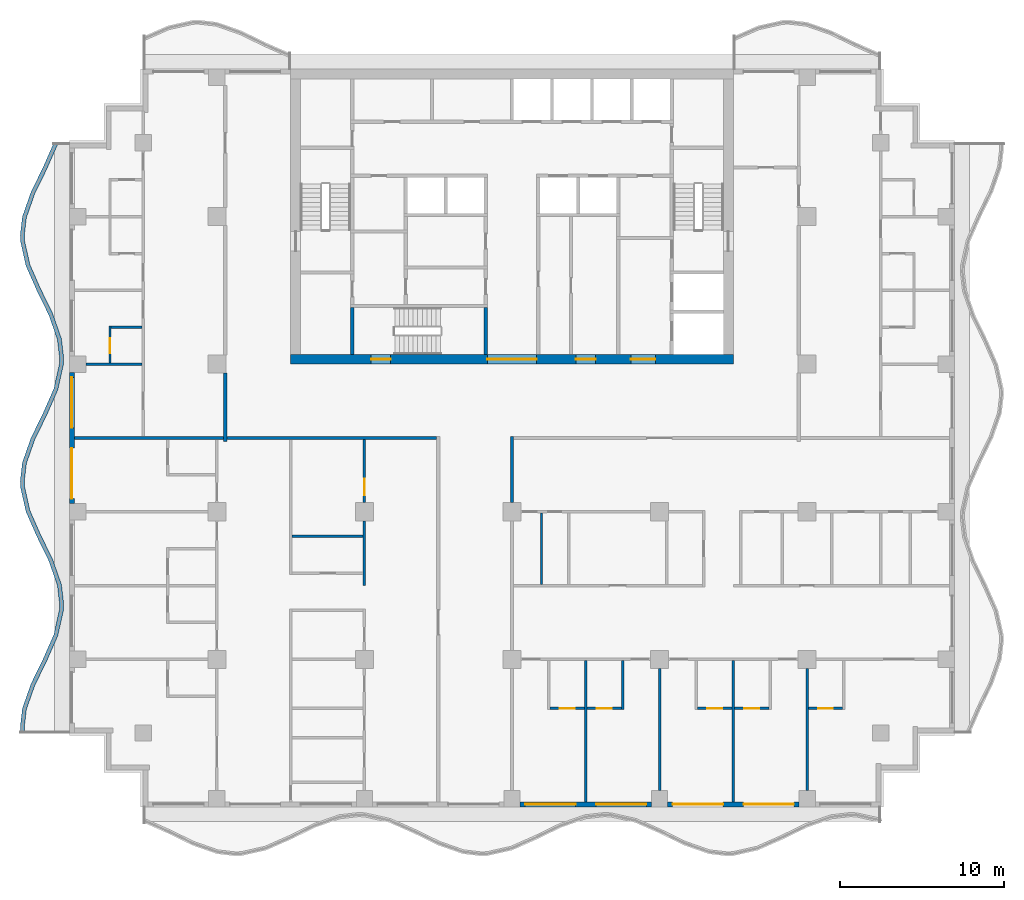
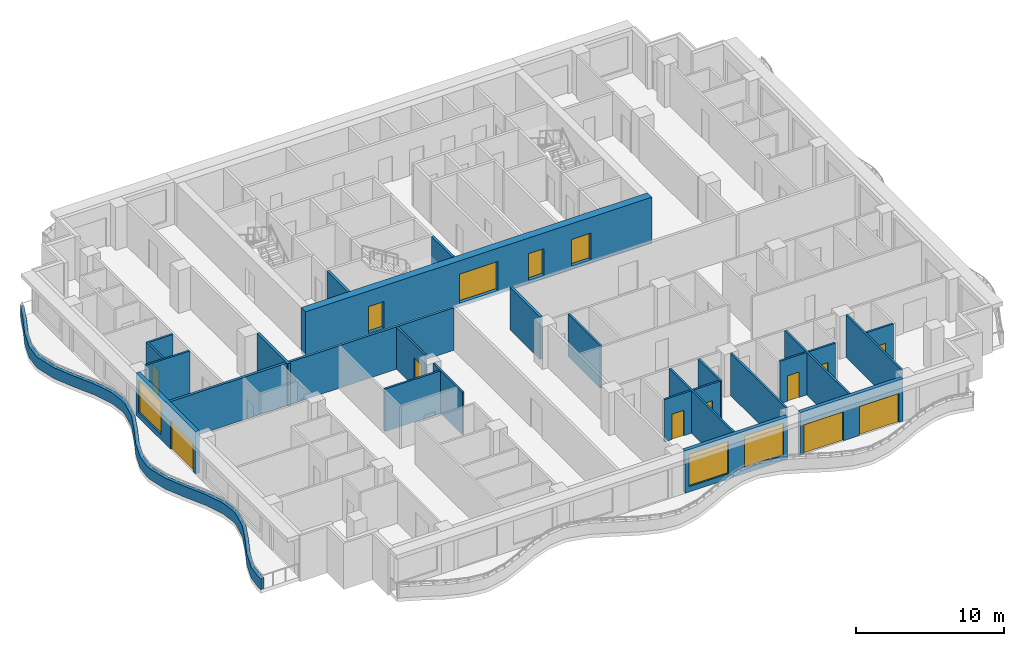
# One storey, part 3 of 12: 28 walls, 14 doors, 3 windows, 17 openings.
"""IFC4 building model written with IfcOpenShell, lengths in metres."""

from ifc_helpers import new_model, si_unit, direction, frame, frame_2d, origin, place, context, subcontext, project, spatial, polyline, rectangle, outline, extrude, material, layer, layer_set, type_object, element, fill, save


model = new_model("IFC4")

# Units and contexts
model_context = context("Model", 3, precision=1e-05, world=origin(), true_north=direction((0.0, 1.0)))
body_context = subcontext(model_context, "Body", "Model", "MODEL_VIEW")
ifc_project = project(units=[si_unit("LENGTHUNIT", "METRE"), si_unit("AREAUNIT", "SQUARE_METRE"), si_unit("VOLUMEUNIT", "CUBIC_METRE"), si_unit("PLANEANGLEUNIT", "RADIAN"), si_unit("MASSUNIT", "GRAM", prefix="KILO")], contexts=[model_context])

# Site, building, storey
site_placement = place(None, origin())
site = spatial("IfcSite", under=ifc_project, at=site_placement, CompositionType="ELEMENT")
building_placement = place(site_placement, origin())
building = spatial("IfcBuilding", under=site, at=building_placement, Name="Orbiselva Terraces", CompositionType="ELEMENT")
storey_placement = place(building_placement, frame((0.0, 0.0, 207.2)))
storey = spatial("IfcBuildingStorey", under=building, at=storey_placement, Name="L52", CompositionType="ELEMENT", Elevation=207.2)

# Wall, openings, doors
ifc_material_1 = material(Name="Concrete C80/95", Category="concrete")
ifc_layer_1 = layer(ifc_material_1, 0.6)
ifc_layer_set_1 = layer_set([ifc_layer_1], Name="Concrete C80/95")
wall_type_1 = type_object("IfcWallType", Name="CORE WALL 600", PredefinedType="SHEAR", material=ifc_layer_set_1)
wall_1_placement = place(storey_placement, frame((-13.5, 4.8, -0.3), z_axis=(0.0, 0.0, 1.0), x_axis=(1.0, 0.0, 0.0)))
wall_1 = element("IfcWall", 1, at=wall_1_placement, inside=storey, type_object=wall_type_1, Name="Core wall L52 south", PredefinedType="SHEAR", context=body_context, shape_type="SweptSolid", body=[
    extrude(rectangle(XDim=27.0, YDim=0.6, at=frame_2d((13.5, 0.0))), origin(), (0.0, 0.0, 1.0), 3.8),
])
opening_1_placement = place(wall_1_placement, frame((12.0, 0.0, 0.3)))
opening_1 = element("IfcOpeningElement", 2, at=opening_1_placement, cuts=wall_1, Name="Opening DL3000", PredefinedType="OPENING", context=body_context, shape_type="SweptSolid", body=[
    extrude(rectangle(XDim=3.0, YDim=2.4, at=frame_2d((1.5, 1.2))), frame((0.0, 0.31, 0.0), z_axis=(0.0, -1.0, 0.0), x_axis=(1.0, 0.0, 0.0)), (0.0, 0.0, 1.0), 0.62),
])
opening_2_placement = place(wall_1_placement, frame((4.9, 0.0, 0.3)))
opening_2 = element("IfcOpeningElement", 3, at=opening_2_placement, cuts=wall_1, Name="Opening DS1200", PredefinedType="OPENING", context=body_context, shape_type="SweptSolid", body=[
    extrude(rectangle(XDim=1.2, YDim=2.2, at=frame_2d((0.6, 1.1))), frame((0.0, 0.31, 0.0), z_axis=(0.0, -1.0, 0.0), x_axis=(1.0, 0.0, 0.0)), (0.0, 0.0, 1.0), 0.62),
])
opening_3_placement = place(wall_1_placement, frame((20.75, 0.0, 0.3)))
opening_3 = element("IfcOpeningElement", 4, at=opening_3_placement, cuts=wall_1, Name="Opening DF1500", PredefinedType="OPENING", context=body_context, shape_type="SweptSolid", body=[
    extrude(rectangle(XDim=1.5, YDim=2.2, at=frame_2d((0.75, 1.1))), frame((0.0, 0.31, 0.0), z_axis=(0.0, -1.0, 0.0), x_axis=(1.0, 0.0, 0.0)), (0.0, 0.0, 1.0), 0.62),
])
opening_4_placement = place(wall_1_placement, frame((17.4, 0.0, 0.3)))
opening_4 = element("IfcOpeningElement", 5, at=opening_4_placement, cuts=wall_1, Name="Opening DV1200", PredefinedType="OPENING", context=body_context, shape_type="SweptSolid", body=[
    extrude(rectangle(XDim=1.2, YDim=2.2, at=frame_2d((0.6, 1.1))), frame((0.0, 0.31, 0.0), z_axis=(0.0, -1.0, 0.0), x_axis=(1.0, 0.0, 0.0)), (0.0, 0.0, 1.0), 0.62),
])
ifc_material_2 = material(Name="Steel fire door", Category="steel")
door_type_1 = type_object("IfcDoorType", Name="FFL DOOR 1500", OperationType="DOUBLE_DOOR_SINGLE_SWING", PredefinedType="DOOR", material=ifc_material_2)
door_1_placement = place(opening_3_placement, frame((1.5, 0.0, 0.0), z_axis=(0.0, 0.0, 1.0), x_axis=(-1.0, 0.0, 0.0)))
door_1 = element("IfcDoor", 6, at=door_1_placement, inside=storey, type_object=door_type_1, Name="L52 FIRE-FIGHTING LOBBY door", OperationType="DOUBLE_DOOR_SINGLE_SWING", OverallHeight=2.2, OverallWidth=1.5, PredefinedType="DOOR", context=body_context, shape_type="SweptSolid", body=[
    extrude(rectangle(XDim=1.5, YDim=2.2, at=frame_2d((0.75, 1.1))), frame((0.0, 0.025, 0.0), z_axis=(0.0, -1.0, 0.0), x_axis=(1.0, 0.0, 0.0)), (0.0, 0.0, 1.0), 0.05),
])
fill(opening_3, door_1)
door_type_2 = type_object("IfcDoorType", Name="LOBBY DOOR 3000", OperationType="DOUBLE_DOOR_SINGLE_SWING", PredefinedType="DOOR", material=ifc_material_2)
door_2_placement = place(opening_1_placement, frame((3.0, 0.0, 0.0), z_axis=(0.0, 0.0, 1.0), x_axis=(-1.0, 0.0, 0.0)))
door_2 = element("IfcDoor", 7, at=door_2_placement, inside=storey, type_object=door_type_2, Name="L52 LIFT LOBBY door", OperationType="DOUBLE_DOOR_SINGLE_SWING", OverallHeight=2.4, OverallWidth=3.0, PredefinedType="DOOR", context=body_context, shape_type="SweptSolid", body=[
    extrude(rectangle(XDim=3.0, YDim=2.4, at=frame_2d((1.5, 1.2))), frame((0.0, 0.025, 0.0), z_axis=(0.0, -1.0, 0.0), x_axis=(1.0, 0.0, 0.0)), (0.0, 0.0, 1.0), 0.05),
])
fill(opening_1, door_2)
door_type_3 = type_object("IfcDoorType", Name="SERVICE DOOR 1200", OperationType="NOTDEFINED", PredefinedType="DOOR", material=ifc_material_2)
door_3_placement = place(opening_4_placement, frame((1.2, 0.0, 0.0), z_axis=(0.0, 0.0, 1.0), x_axis=(-1.0, 0.0, 0.0)))
door_3 = element("IfcDoor", 8, at=door_3_placement, inside=storey, type_object=door_type_3, Name="L52 SERVICE ROOM door", OperationType="SINGLE_SWING_RIGHT", OverallHeight=2.2, OverallWidth=1.2, PredefinedType="DOOR", context=body_context, shape_type="SweptSolid", body=[
    extrude(rectangle(XDim=1.2, YDim=2.2, at=frame_2d((0.6, 1.1))), frame((0.0, 0.025, 0.0), z_axis=(0.0, -1.0, 0.0), x_axis=(1.0, 0.0, 0.0)), (0.0, 0.0, 1.0), 0.05),
])
fill(opening_4, door_3)
door_type_4 = type_object("IfcDoorType", Name="STAIR DOOR 1200", OperationType="NOTDEFINED", PredefinedType="DOOR", material=ifc_material_2)
door_4_placement = place(opening_2_placement, frame((1.2, 0.0, 0.0), z_axis=(0.0, 0.0, 1.0), x_axis=(-1.0, 0.0, 0.0)))
door_4 = element("IfcDoor", 9, at=door_4_placement, inside=storey, type_object=door_type_4, Name="L52 EXIT STAIR S3 door", OperationType="SINGLE_SWING_LEFT", OverallHeight=2.2, OverallWidth=1.2, PredefinedType="DOOR", context=body_context, shape_type="SweptSolid", body=[
    extrude(rectangle(XDim=1.2, YDim=2.2, at=frame_2d((0.6, 1.1))), frame((0.0, 0.025, 0.0), z_axis=(0.0, -1.0, 0.0), x_axis=(1.0, 0.0, 0.0)), (0.0, 0.0, 1.0), 0.05),
])
fill(opening_2, door_4)

# Walls
ifc_material_3 = material(Name="Concrete C60/75", Category="concrete")
ifc_layer_2 = layer(ifc_material_3, 0.2)
ifc_layer_set_2 = layer_set([ifc_layer_2], Name="Concrete C60/75")
wall_type_2 = type_object("IfcWallType", Name="CORE-WALL-SHEAR-200", PredefinedType="SHEAR", material=ifc_layer_set_2)
for number, where, z_axis, x_axis, name in (
    (10, (-9.75, 5.1, 0.0), (0.0, 0.0, 1.0), (0.0, 1.0, 0.0), "L52 core wall 03"),
    (11, (-1.6, 5.1, 0.0), (0.0, 0.0, 1.0), (0.0, 1.0, 0.0), "L52 core wall 22"),
):
    element("IfcWall", number, at=place(storey_placement, frame(where, z_axis=z_axis, x_axis=x_axis)), inside=storey, type_object=wall_type_2, Name=name, PredefinedType="SHEAR", context=body_context, shape_type="SweptSolid", body=[
        extrude(rectangle(XDim=2.85, YDim=0.2, at=frame_2d((1.425, 0.0))), origin(), (0.0, 0.0, 1.0), 3.5),
    ])
ifc_material_4 = material(Name="Concrete C40/50", Category="concrete")
ifc_layer_3 = layer(ifc_material_4, 0.25)
ifc_layer_set_3 = layer_set([ifc_layer_3], Name="Concrete C40/50")
wall_type_3 = type_object("IfcWallType", Name="ENV-PLANTER-250x900", PredefinedType="USERDEFINED", material=ifc_layer_set_3)
wall_2_placement = place(storey_placement, origin())
element("IfcWall", 12, at=wall_2_placement, inside=storey, type_object=wall_type_3, Name="Balcony planter L52 W", ObjectType="PLANTER", PredefinedType="USERDEFINED", context=body_context, shape_type="SweptSolid", body=[
    extrude(outline(polyline([(-27.951472, 18.0), (-28.612279, 16.5), (-29.344789, 15.0), (-29.869208, 13.5), (-30.0, 12.375), (-29.985226, 12.0), (-29.648528, 10.5), (-28.987721, 9.0), (-28.255211, 7.5), (-27.730792, 6.0), (-27.6, 4.875), (-27.614774, 4.5), (-27.951472, 3.0), (-28.612279, 1.5), (-29.344789, 0.0), (-29.869208, -1.5), (-30.0, -2.625), (-29.985226, -3.0), (-29.648528, -4.5), (-28.987721, -6.0), (-28.255211, -7.5), (-27.730792, -9.0), (-27.6, -10.125), (-27.614774, -10.5), (-27.951472, -12.0), (-28.612279, -13.5), (-29.344789, -15.0), (-29.869208, -16.5), (-30.0, -17.625), (-29.985226, -18.0), (-29.73542, -17.990158), (-29.749429, -17.634572), (-29.624078, -16.556371), (-29.113667, -15.09644), (-28.385477, -13.605286), (-27.712874, -12.078508), (-27.365863, -10.532565), (-27.349429, -10.115428), (-27.485662, -8.943629), (-28.024089, -7.40356), (-28.760919, -5.894714), (-29.40993, -4.421492), (-29.736315, -2.967435), (-29.749429, -2.634572), (-29.624078, -1.556371), (-29.113667, -0.09644), (-28.385477, 1.394714), (-27.712874, 2.921492), (-27.365863, 4.467435), (-27.349429, 4.884572), (-27.485662, 6.056371), (-28.024089, 7.59644), (-28.760919, 9.105286), (-29.40993, 10.578508), (-29.736315, 12.032565), (-29.749429, 12.365428), (-29.624078, 13.443629), (-29.113667, 14.90356), (-28.385477, 16.394714), (-27.722689, 17.899212), (-27.951472, 18.0)])), origin(), (0.0, 0.0, 1.0), 0.9),
])

# Wall, openings, windows
ifc_material_5 = material(Name="Terracotta cladding on masonry backing", Category="masonry")
ifc_layer_4 = layer(ifc_material_5, 0.3)
ifc_layer_set_4 = layer_set([ifc_layer_4], Name="Terracotta cladding on masonry backing")
wall_type_4 = type_object("IfcWallType", Name="ENV-WALL-TERRACOTTA-300", PredefinedType="SOLIDWALL", material=ifc_layer_set_4)
wall_3_placement = place(storey_placement, frame((8.5, -22.35, 0.0), z_axis=(0.0, 0.0, 1.0), x_axis=(-1.0, 0.0, 0.0)))
wall_3 = element("IfcWall", 13, at=wall_3_placement, inside=storey, type_object=wall_type_4, Name="Facade wall L52 S", PredefinedType="SOLIDWALL", context=body_context, shape_type="SweptSolid", body=[
    extrude(rectangle(XDim=8.0, YDim=0.3, at=frame_2d((4.0, 0.0))), origin(), (0.0, 0.0, 1.0), 3.5),
])
opening_5_placement = place(wall_3_placement, frame((4.625, 0.0, 0.45)))
opening_5 = element("IfcOpeningElement", 14, at=opening_5_placement, cuts=wall_3, Name="Opening WN15", PredefinedType="OPENING", context=body_context, shape_type="SweptSolid", body=[
    extrude(rectangle(XDim=3.075, YDim=2.65, at=frame_2d((1.5375, 1.325))), frame((0.0, 0.16, 0.0), z_axis=(0.0, -1.0, 0.0), x_axis=(1.0, 0.0, 0.0)), (0.0, 0.0, 1.0), 0.32),
])
opening_6_placement = place(wall_3_placement, frame((0.3, 0.0, 0.45)))
opening_6 = element("IfcOpeningElement", 15, at=opening_6_placement, cuts=wall_3, Name="Opening WN15", PredefinedType="OPENING", context=body_context, shape_type="SweptSolid", body=[
    extrude(rectangle(XDim=3.075, YDim=2.65, at=frame_2d((1.5375, 1.325))), frame((0.0, 0.16, 0.0), z_axis=(0.0, -1.0, 0.0), x_axis=(1.0, 0.0, 0.0)), (0.0, 0.0, 1.0), 0.32),
])
ifc_material_6 = material(Name="Clear low-e glazing in aluminium frame", Category="aluminium")
window_type = type_object("IfcWindowType", Name="WINDOW 3075 X 2650 S450", PartitioningType="TRIPLE_PANEL_VERTICAL", PredefinedType="WINDOW", material=ifc_material_6)
window_1_placement = place(opening_5_placement, origin())
window_1 = element("IfcWindow", 16, at=window_1_placement, inside=storey, type_object=window_type, Name="Window L52 S", OverallHeight=2.65, OverallWidth=3.075, PartitioningType="SINGLE_PANEL", PredefinedType="WINDOW", context=body_context, shape_type="SweptSolid", body=[
    extrude(rectangle(XDim=3.075, YDim=2.65, at=frame_2d((1.5375, 1.325))), frame((0.0, 0.03, 0.0), z_axis=(0.0, -1.0, 0.0), x_axis=(1.0, 0.0, 0.0)), (0.0, 0.0, 1.0), 0.06),
])
fill(opening_5, window_1)
window_2_placement = place(opening_6_placement, origin())
window_2 = element("IfcWindow", 17, at=window_2_placement, inside=storey, type_object=window_type, Name="Window L52 S", OverallHeight=2.65, OverallWidth=3.075, PartitioningType="SINGLE_PANEL", PredefinedType="WINDOW", context=body_context, shape_type="SweptSolid", body=[
    extrude(rectangle(XDim=3.075, YDim=2.65, at=frame_2d((1.5375, 1.325))), frame((0.0, 0.03, 0.0), z_axis=(0.0, -1.0, 0.0), x_axis=(1.0, 0.0, 0.0)), (0.0, 0.0, 1.0), 0.06),
])
fill(opening_6, window_2)

# Wall, openings, doors
wall_4_placement = place(storey_placement, frame((17.5, -22.35, 0.0), z_axis=(0.0, 0.0, 1.0), x_axis=(-1.0, 0.0, 0.0)))
wall_4 = element("IfcWall", 18, at=wall_4_placement, inside=storey, type_object=wall_type_4, Name="Facade wall L52 S", PredefinedType="SOLIDWALL", context=body_context, shape_type="SweptSolid", body=[
    extrude(rectangle(XDim=8.0, YDim=0.3, at=frame_2d((4.0, 0.0))), origin(), (0.0, 0.0, 1.0), 3.5),
])
opening_7_placement = place(wall_4_placement, frame((4.625, 0.0, 0.0)))
opening_7 = element("IfcOpeningElement", 19, at=opening_7_placement, cuts=wall_4, Name="Opening Z4-C-E03", PredefinedType="OPENING", context=body_context, shape_type="SweptSolid", body=[
    extrude(rectangle(XDim=3.075, YDim=2.4, at=frame_2d((1.5375, 1.2))), frame((0.0, 0.16, 0.0), z_axis=(0.0, -1.0, 0.0), x_axis=(1.0, 0.0, 0.0)), (0.0, 0.0, 1.0), 0.32),
])
opening_8_placement = place(wall_4_placement, frame((0.3, 0.0, 0.0)))
opening_8 = element("IfcOpeningElement", 20, at=opening_8_placement, cuts=wall_4, Name="Opening Z4-C-E04", PredefinedType="OPENING", context=body_context, shape_type="SweptSolid", body=[
    extrude(rectangle(XDim=3.075, YDim=2.4, at=frame_2d((1.5375, 1.2))), frame((0.0, 0.16, 0.0), z_axis=(0.0, -1.0, 0.0), x_axis=(1.0, 0.0, 0.0)), (0.0, 0.0, 1.0), 0.32),
])
door_type_5 = type_object("IfcDoorType", Name="BALCONY DOOR 3075 X 2400", OperationType="DOUBLE_DOOR_SLIDING", PredefinedType="DOOR", material=ifc_material_6)
door_5_placement = place(opening_7_placement, origin())
door_5 = element("IfcDoor", 21, at=door_5_placement, inside=storey, type_object=door_type_5, Name="Z4-C-E03", OperationType="SINGLE_SWING_LEFT", OverallHeight=2.4, OverallWidth=3.075, PredefinedType="DOOR", context=body_context, shape_type="SweptSolid", body=[
    extrude(rectangle(XDim=3.075, YDim=2.4, at=frame_2d((1.5375, 1.2))), frame((0.0, 0.025, 0.0), z_axis=(0.0, -1.0, 0.0), x_axis=(1.0, 0.0, 0.0)), (0.0, 0.0, 1.0), 0.05),
])
fill(opening_7, door_5)
door_6_placement = place(opening_8_placement, origin())
door_6 = element("IfcDoor", 22, at=door_6_placement, inside=storey, type_object=door_type_5, Name="Z4-C-E04", OperationType="SINGLE_SWING_LEFT", OverallHeight=2.4, OverallWidth=3.075, PredefinedType="DOOR", context=body_context, shape_type="SweptSolid", body=[
    extrude(rectangle(XDim=3.075, YDim=2.4, at=frame_2d((1.5375, 1.2))), frame((0.0, 0.025, 0.0), z_axis=(0.0, -1.0, 0.0), x_axis=(1.0, 0.0, 0.0)), (0.0, 0.0, 1.0), 0.05),
])
fill(opening_8, door_6)

# Wall, openings, door, window
wall_5_placement = place(storey_placement, frame((-26.85, -4.0, 0.0), z_axis=(0.0, 0.0, 1.0), x_axis=(0.0, 1.0, 0.0)))
wall_5 = element("IfcWall", 23, at=wall_5_placement, inside=storey, type_object=wall_type_4, Name="Facade wall L52 W", PredefinedType="SOLIDWALL", context=body_context, shape_type="SweptSolid", body=[
    extrude(rectangle(XDim=8.0, YDim=0.3, at=frame_2d((4.0, 0.0))), origin(), (0.0, 0.0, 1.0), 3.5),
])
opening_9_placement = place(wall_5_placement, frame((4.625, 0.0, 0.45)))
opening_9 = element("IfcOpeningElement", 24, at=opening_9_placement, cuts=wall_5, Name="Opening WN15", PredefinedType="OPENING", context=body_context, shape_type="SweptSolid", body=[
    extrude(rectangle(XDim=3.075, YDim=2.65, at=frame_2d((1.5375, 1.325))), frame((0.0, 0.16, 0.0), z_axis=(0.0, -1.0, 0.0), x_axis=(1.0, 0.0, 0.0)), (0.0, 0.0, 1.0), 0.32),
])
opening_10_placement = place(wall_5_placement, frame((0.3, 0.0, 0.0)))
opening_10 = element("IfcOpeningElement", 25, at=opening_10_placement, cuts=wall_5, Name="Opening Z4-C-E11", PredefinedType="OPENING", context=body_context, shape_type="SweptSolid", body=[
    extrude(rectangle(XDim=3.075, YDim=2.4, at=frame_2d((1.5375, 1.2))), frame((0.0, 0.16, 0.0), z_axis=(0.0, -1.0, 0.0), x_axis=(1.0, 0.0, 0.0)), (0.0, 0.0, 1.0), 0.32),
])
door_7_placement = place(opening_10_placement, origin())
door_7 = element("IfcDoor", 26, at=door_7_placement, inside=storey, type_object=door_type_5, Name="Z4-C-E11", OperationType="SINGLE_SWING_LEFT", OverallHeight=2.4, OverallWidth=3.075, PredefinedType="DOOR", context=body_context, shape_type="SweptSolid", body=[
    extrude(rectangle(XDim=3.075, YDim=2.4, at=frame_2d((1.5375, 1.2))), frame((0.0, 0.025, 0.0), z_axis=(0.0, -1.0, 0.0), x_axis=(1.0, 0.0, 0.0)), (0.0, 0.0, 1.0), 0.05),
])
fill(opening_10, door_7)
window_3_placement = place(opening_9_placement, origin())
window_3 = element("IfcWindow", 27, at=window_3_placement, inside=storey, type_object=window_type, Name="Window L52 W", OverallHeight=2.65, OverallWidth=3.075, PartitioningType="SINGLE_PANEL", PredefinedType="WINDOW", context=body_context, shape_type="SweptSolid", body=[
    extrude(rectangle(XDim=3.075, YDim=2.65, at=frame_2d((1.5375, 1.325))), frame((0.0, 0.03, 0.0), z_axis=(0.0, -1.0, 0.0), x_axis=(1.0, 0.0, 0.0)), (0.0, 0.0, 1.0), 0.06),
])
fill(opening_9, window_3)

# Walls
ifc_material_7 = material(Name="Plasterboard on steel stud partition", Category="steel")
ifc_layer_5 = layer(ifc_material_7, 0.2)
ifc_layer_set_5 = layer_set([ifc_layer_5], Name="Plasterboard on steel stud partition")
wall_type_5 = type_object("IfcWallType", Name="UNIT-ENTRANCE-WALL-200", PredefinedType="PARTITIONING", material=ifc_layer_set_5)
wall_6_placement = place(storey_placement, frame((-17.4, 0.0, 0.0), z_axis=(0.0, 0.0, 1.0), x_axis=(1.0, 0.0, 0.0)))
element("IfcWall", 28, at=wall_6_placement, inside=storey, type_object=wall_type_5, Name="PARTITION L52-030", PredefinedType="PARTITIONING", context=body_context, shape_type="SweptSolid", body=[
    extrude(rectangle(XDim=12.8, YDim=0.2, at=frame_2d((6.4, 0.0))), origin(), (0.0, 0.0, 1.0), 3.5),
])
wall_7_placement = place(storey_placement, frame((-17.5, -0.2, 0.0), z_axis=(0.0, 0.0, 1.0), x_axis=(0.0, 1.0, 0.0)))
element("IfcWall", 29, at=wall_7_placement, inside=storey, type_object=wall_type_5, Name="PARTITION L52-059", PredefinedType="PARTITIONING", context=body_context, shape_type="SweptSolid", body=[
    extrude(rectangle(XDim=4.15, YDim=0.2, at=frame_2d((2.075, 0.0))), origin(), (0.0, 0.0, 1.0), 3.5),
])
wall_8_placement = place(storey_placement, frame((0.0, -3.95, 0.0), z_axis=(0.0, 0.0, 1.0), x_axis=(0.0, 1.0, 0.0)))
element("IfcWall", 30, at=wall_8_placement, inside=storey, type_object=wall_type_5, Name="PARTITION L52-071", PredefinedType="PARTITIONING", context=body_context, shape_type="SweptSolid", body=[
    extrude(rectangle(XDim=4.05, YDim=0.2, at=frame_2d((2.025, 0.0))), origin(), (0.0, 0.0, 1.0), 3.5),
])

# Wall, opening, door
ifc_layer_6 = layer(ifc_material_7, 0.15)
ifc_layer_set_6 = layer_set([ifc_layer_6], Name="Plasterboard on steel stud partition")
wall_type_6 = type_object("IfcWallType", Name="UNIT-PARTITION-150", PredefinedType="PARTITIONING", material=ifc_layer_set_6)
wall_9_placement = place(storey_placement, frame((2.325, -16.5, 0.0), z_axis=(0.0, 0.0, 1.0), x_axis=(1.0, 0.0, 0.0)))
wall_9 = element("IfcWall", 31, at=wall_9_placement, inside=storey, type_object=wall_type_6, Name="PARTITION L52-004", PredefinedType="PARTITIONING", context=body_context, shape_type="SweptSolid", body=[
    extrude(rectangle(XDim=2.1, YDim=0.15, at=frame_2d((1.05, 0.0))), origin(), (0.0, 0.0, 1.0), 3.5),
])
opening_11_placement = place(wall_9_placement, frame((0.6, 0.0, 0.0)))
opening_11 = element("IfcOpeningElement", 32, at=opening_11_placement, cuts=wall_9, Name="Opening Z4-C-45", PredefinedType="OPENING", context=body_context, shape_type="SweptSolid", body=[
    extrude(rectangle(XDim=0.9, YDim=2.1, at=frame_2d((0.45, 1.05))), frame((0.0, 0.085, 0.0), z_axis=(0.0, -1.0, 0.0), x_axis=(1.0, 0.0, 0.0)), (0.0, 0.0, 1.0), 0.17),
])
ifc_material_8 = material(Name="Painted timber door leaf", Category="wood")
door_type_6 = type_object("IfcDoorType", Name="BATH DOOR 900", OperationType="NOTDEFINED", PredefinedType="DOOR", material=ifc_material_8)
door_8_placement = place(opening_11_placement, origin())
door_8 = element("IfcDoor", 33, at=door_8_placement, inside=storey, type_object=door_type_6, Name="Z4-C-45", OperationType="SINGLE_SWING_RIGHT", OverallHeight=2.1, OverallWidth=0.9, PredefinedType="DOOR", context=body_context, shape_type="SweptSolid", body=[
    extrude(rectangle(XDim=0.9, YDim=2.1, at=frame_2d((0.45, 1.05))), frame((0.0, 0.025, 0.0), z_axis=(0.0, -1.0, 0.0), x_axis=(1.0, 0.0, 0.0)), (0.0, 0.0, 1.0), 0.05),
])
fill(opening_11, door_8)

wall_10_placement = place(storey_placement, frame((4.575, -16.5, 0.0), z_axis=(0.0, 0.0, 1.0), x_axis=(1.0, 0.0, 0.0)))
wall_10 = element("IfcWall", 34, at=wall_10_placement, inside=storey, type_object=wall_type_6, Name="PARTITION L52-005", PredefinedType="PARTITIONING", context=body_context, shape_type="SweptSolid", body=[
    extrude(rectangle(XDim=2.1, YDim=0.15, at=frame_2d((1.05, 0.0))), origin(), (0.0, 0.0, 1.0), 3.5),
])
opening_12_placement = place(wall_10_placement, frame((0.6, 0.0, 0.0)))
opening_12 = element("IfcOpeningElement", 35, at=opening_12_placement, cuts=wall_10, Name="Opening Z4-C-47", PredefinedType="OPENING", context=body_context, shape_type="SweptSolid", body=[
    extrude(rectangle(XDim=0.9, YDim=2.1, at=frame_2d((0.45, 1.05))), frame((0.0, 0.085, 0.0), z_axis=(0.0, -1.0, 0.0), x_axis=(1.0, 0.0, 0.0)), (0.0, 0.0, 1.0), 0.17),
])
door_9_placement = place(opening_12_placement, origin())
door_9 = element("IfcDoor", 36, at=door_9_placement, inside=storey, type_object=door_type_6, Name="Z4-C-47", OperationType="SINGLE_SWING_LEFT", OverallHeight=2.1, OverallWidth=0.9, PredefinedType="DOOR", context=body_context, shape_type="SweptSolid", body=[
    extrude(rectangle(XDim=0.9, YDim=2.1, at=frame_2d((0.45, 1.05))), frame((0.0, 0.025, 0.0), z_axis=(0.0, -1.0, 0.0), x_axis=(1.0, 0.0, 0.0)), (0.0, 0.0, 1.0), 0.05),
])
fill(opening_12, door_9)

wall_11_placement = place(storey_placement, frame((11.325, -16.5, 0.0), z_axis=(0.0, 0.0, 1.0), x_axis=(1.0, 0.0, 0.0)))
wall_11 = element("IfcWall", 37, at=wall_11_placement, inside=storey, type_object=wall_type_6, Name="PARTITION L52-006", PredefinedType="PARTITIONING", context=body_context, shape_type="SweptSolid", body=[
    extrude(rectangle(XDim=2.1, YDim=0.15, at=frame_2d((1.05, 0.0))), origin(), (0.0, 0.0, 1.0), 3.5),
])
opening_13_placement = place(wall_11_placement, frame((0.6, 0.0, 0.0)))
opening_13 = element("IfcOpeningElement", 38, at=opening_13_placement, cuts=wall_11, Name="Opening Z4-C-49", PredefinedType="OPENING", context=body_context, shape_type="SweptSolid", body=[
    extrude(rectangle(XDim=0.9, YDim=2.1, at=frame_2d((0.45, 1.05))), frame((0.0, 0.085, 0.0), z_axis=(0.0, -1.0, 0.0), x_axis=(1.0, 0.0, 0.0)), (0.0, 0.0, 1.0), 0.17),
])
door_10_placement = place(opening_13_placement, origin())
door_10 = element("IfcDoor", 39, at=door_10_placement, inside=storey, type_object=door_type_6, Name="Z4-C-49", OperationType="SINGLE_SWING_LEFT", OverallHeight=2.1, OverallWidth=0.9, PredefinedType="DOOR", context=body_context, shape_type="SweptSolid", body=[
    extrude(rectangle(XDim=0.9, YDim=2.1, at=frame_2d((0.45, 1.05))), frame((0.0, 0.025, 0.0), z_axis=(0.0, -1.0, 0.0), x_axis=(1.0, 0.0, 0.0)), (0.0, 0.0, 1.0), 0.05),
])
fill(opening_13, door_10)

wall_12_placement = place(storey_placement, frame((13.575, -16.5, 0.0), z_axis=(0.0, 0.0, 1.0), x_axis=(1.0, 0.0, 0.0)))
wall_12 = element("IfcWall", 40, at=wall_12_placement, inside=storey, type_object=wall_type_6, Name="PARTITION L52-007", PredefinedType="PARTITIONING", context=body_context, shape_type="SweptSolid", body=[
    extrude(rectangle(XDim=2.1, YDim=0.15, at=frame_2d((1.05, 0.0))), origin(), (0.0, 0.0, 1.0), 3.5),
])
opening_14_placement = place(wall_12_placement, frame((0.6, 0.0, 0.0)))
opening_14 = element("IfcOpeningElement", 41, at=opening_14_placement, cuts=wall_12, Name="Opening Z4-C-51", PredefinedType="OPENING", context=body_context, shape_type="SweptSolid", body=[
    extrude(rectangle(XDim=0.9, YDim=2.1, at=frame_2d((0.45, 1.05))), frame((0.0, 0.085, 0.0), z_axis=(0.0, -1.0, 0.0), x_axis=(1.0, 0.0, 0.0)), (0.0, 0.0, 1.0), 0.17),
])
door_11_placement = place(opening_14_placement, origin())
door_11 = element("IfcDoor", 42, at=door_11_placement, inside=storey, type_object=door_type_6, Name="Z4-C-51", OperationType="SINGLE_SWING_LEFT", OverallHeight=2.1, OverallWidth=0.9, PredefinedType="DOOR", context=body_context, shape_type="SweptSolid", body=[
    extrude(rectangle(XDim=0.9, YDim=2.1, at=frame_2d((0.45, 1.05))), frame((0.0, 0.025, 0.0), z_axis=(0.0, -1.0, 0.0), x_axis=(1.0, 0.0, 0.0)), (0.0, 0.0, 1.0), 0.05),
])
fill(opening_14, door_11)

wall_13_placement = place(storey_placement, frame((18.075, -16.5, 0.0), z_axis=(0.0, 0.0, 1.0), x_axis=(1.0, 0.0, 0.0)))
wall_13 = element("IfcWall", 43, at=wall_13_placement, inside=storey, type_object=wall_type_6, Name="PARTITION L52-008", PredefinedType="PARTITIONING", context=body_context, shape_type="SweptSolid", body=[
    extrude(rectangle(XDim=2.1, YDim=0.15, at=frame_2d((1.05, 0.0))), origin(), (0.0, 0.0, 1.0), 3.5),
])
opening_15_placement = place(wall_13_placement, frame((0.6, 0.0, 0.0)))
opening_15 = element("IfcOpeningElement", 44, at=opening_15_placement, cuts=wall_13, Name="Opening Z4-C-53", PredefinedType="OPENING", context=body_context, shape_type="SweptSolid", body=[
    extrude(rectangle(XDim=0.9, YDim=2.1, at=frame_2d((0.45, 1.05))), frame((0.0, 0.085, 0.0), z_axis=(0.0, -1.0, 0.0), x_axis=(1.0, 0.0, 0.0)), (0.0, 0.0, 1.0), 0.17),
])
door_12_placement = place(opening_15_placement, origin())
door_12 = element("IfcDoor", 45, at=door_12_placement, inside=storey, type_object=door_type_6, Name="Z4-C-53", OperationType="SINGLE_SWING_LEFT", OverallHeight=2.1, OverallWidth=0.9, PredefinedType="DOOR", context=body_context, shape_type="SweptSolid", body=[
    extrude(rectangle(XDim=0.9, YDim=2.1, at=frame_2d((0.45, 1.05))), frame((0.0, 0.025, 0.0), z_axis=(0.0, -1.0, 0.0), x_axis=(1.0, 0.0, 0.0)), (0.0, 0.0, 1.0), 0.05),
])
fill(opening_15, door_12)

# Walls
wall_14_placement = place(storey_placement, frame((-13.425, -6.0, 0.0), z_axis=(0.0, 0.0, 1.0), x_axis=(1.0, 0.0, 0.0)))
element("IfcWall", 46, at=wall_14_placement, inside=storey, type_object=wall_type_6, Name="PARTITION L52-023", PredefinedType="PARTITIONING", context=body_context, shape_type="SweptSolid", body=[
    extrude(rectangle(XDim=4.35, YDim=0.15, at=frame_2d((2.175, 0.0))), origin(), (0.0, 0.0, 1.0), 3.5),
])
wall_15_placement = place(storey_placement, frame((-26.0, 4.5, 0.0), z_axis=(0.0, 0.0, 1.0), x_axis=(1.0, 0.0, 0.0)))
element("IfcWall", 47, at=wall_15_placement, inside=storey, type_object=wall_type_6, Name="PARTITION L52-034", PredefinedType="PARTITIONING", context=body_context, shape_type="SweptSolid", body=[
    extrude(rectangle(XDim=3.425, YDim=0.15, at=frame_2d((1.7125, 0.0))), origin(), (0.0, 0.0, 1.0), 3.5),
])
wall_16_placement = place(storey_placement, frame((-24.45, 6.75, 0.0), z_axis=(0.0, 0.0, 1.0), x_axis=(1.0, 0.0, 0.0)))
element("IfcWall", 48, at=wall_16_placement, inside=storey, type_object=wall_type_6, Name="PARTITION L52-036", PredefinedType="PARTITIONING", context=body_context, shape_type="SweptSolid", body=[
    extrude(rectangle(XDim=1.875, YDim=0.15, at=frame_2d((0.9375, 0.0))), origin(), (0.0, 0.0, 1.0), 3.5),
])

# Wall, opening, door
wall_17_placement = place(storey_placement, frame((-24.525, 6.825, 0.0), z_axis=(0.0, 0.0, 1.0), x_axis=(0.0, -1.0, 0.0)))
wall_17 = element("IfcWall", 49, at=wall_17_placement, inside=storey, type_object=wall_type_6, Name="PARTITION L52-049", PredefinedType="PARTITIONING", context=body_context, shape_type="SweptSolid", body=[
    extrude(rectangle(XDim=2.25, YDim=0.15, at=frame_2d((1.125, 0.0))), origin(), (0.0, 0.0, 1.0), 3.5),
])
opening_16_placement = place(wall_17_placement, frame((0.75, 0.0, 0.0)))
opening_16 = element("IfcOpeningElement", 50, at=opening_16_placement, cuts=wall_17, Name="Opening Z4-C-05", PredefinedType="OPENING", context=body_context, shape_type="SweptSolid", body=[
    extrude(rectangle(XDim=0.9, YDim=2.1, at=frame_2d((0.45, 1.05))), frame((0.0, 0.085, 0.0), z_axis=(0.0, -1.0, 0.0), x_axis=(1.0, 0.0, 0.0)), (0.0, 0.0, 1.0), 0.17),
])
door_13_placement = place(opening_16_placement, origin())
door_13 = element("IfcDoor", 51, at=door_13_placement, inside=storey, type_object=door_type_6, Name="Z4-C-05", OperationType="SINGLE_SWING_RIGHT", OverallHeight=2.1, OverallWidth=0.9, PredefinedType="DOOR", context=body_context, shape_type="SweptSolid", body=[
    extrude(rectangle(XDim=0.9, YDim=2.1, at=frame_2d((0.45, 1.05))), frame((0.0, 0.025, 0.0), z_axis=(0.0, -1.0, 0.0), x_axis=(1.0, 0.0, 0.0)), (0.0, 0.0, 1.0), 0.05),
])
fill(opening_16, door_13)

# Wall
wall_18_placement = place(storey_placement, frame((-9.0, -9.0, 0.0), z_axis=(0.0, 0.0, 1.0), x_axis=(0.0, 1.0, 0.0)))
element("IfcWall", 52, at=wall_18_placement, inside=storey, type_object=wall_type_6, Name="PARTITION L52-066", PredefinedType="PARTITIONING", context=body_context, shape_type="SweptSolid", body=[
    extrude(rectangle(XDim=3.95, YDim=0.15, at=frame_2d((1.975, 0.0))), origin(), (0.0, 0.0, 1.0), 3.5),
])

# Wall, opening, door
wall_19_placement = place(storey_placement, frame((-9.0, -3.95, 0.0), z_axis=(0.0, 0.0, 1.0), x_axis=(0.0, 1.0, 0.0)))
wall_19 = element("IfcWall", 53, at=wall_19_placement, inside=storey, type_object=wall_type_6, Name="PARTITION L52-067", PredefinedType="PARTITIONING", context=body_context, shape_type="SweptSolid", body=[
    extrude(rectangle(XDim=3.85, YDim=0.15, at=frame_2d((1.925, 0.0))), origin(), (0.0, 0.0, 1.0), 3.5),
])
opening_17_placement = place(wall_19_placement, frame((0.45, 0.0, 0.0)))
opening_17 = element("IfcOpeningElement", 54, at=opening_17_placement, cuts=wall_19, Name="Opening Z4-C-19", PredefinedType="OPENING", context=body_context, shape_type="SweptSolid", body=[
    extrude(rectangle(XDim=1.0, YDim=2.4, at=frame_2d((0.5, 1.2))), frame((0.0, 0.085, 0.0), z_axis=(0.0, -1.0, 0.0), x_axis=(1.0, 0.0, 0.0)), (0.0, 0.0, 1.0), 0.17),
])
door_type_7 = type_object("IfcDoorType", Name="ROOM DOOR 1000", OperationType="NOTDEFINED", PredefinedType="DOOR", material=ifc_material_8)
door_14_placement = place(opening_17_placement, origin())
door_14 = element("IfcDoor", 55, at=door_14_placement, inside=storey, type_object=door_type_7, Name="Z4-C-19", OperationType="SINGLE_SWING_LEFT", OverallHeight=2.4, OverallWidth=1.0, PredefinedType="DOOR", context=body_context, shape_type="SweptSolid", body=[
    extrude(rectangle(XDim=1.0, YDim=2.4, at=frame_2d((0.5, 1.2))), frame((0.0, 0.025, 0.0), z_axis=(0.0, -1.0, 0.0), x_axis=(1.0, 0.0, 0.0)), (0.0, 0.0, 1.0), 0.05),
])
fill(opening_17, door_14)

# Walls
wall_20_placement = place(storey_placement, frame((1.8, -8.925, 0.0), z_axis=(0.0, 0.0, 1.0), x_axis=(0.0, 1.0, 0.0)))
element("IfcWall", 56, at=wall_20_placement, inside=storey, type_object=wall_type_6, Name="PARTITION L52-072", PredefinedType="PARTITIONING", context=body_context, shape_type="SweptSolid", body=[
    extrude(rectangle(XDim=4.35, YDim=0.15, at=frame_2d((2.175, 0.0))), origin(), (0.0, 0.0, 1.0), 3.5),
])
wall_21_placement = place(storey_placement, frame((4.5, -22.2, 0.0), z_axis=(0.0, 0.0, 1.0), x_axis=(0.0, 1.0, 0.0)))
element("IfcWall", 57, at=wall_21_placement, inside=storey, type_object=wall_type_6, Name="PARTITION L52-075", PredefinedType="PARTITIONING", context=body_context, shape_type="SweptSolid", body=[
    extrude(rectangle(XDim=8.625, YDim=0.15, at=frame_2d((4.3125, 0.0))), origin(), (0.0, 0.0, 1.0), 3.5),
])
wall_22_placement = place(storey_placement, frame((6.75, -16.575, 0.0), z_axis=(0.0, 0.0, 1.0), x_axis=(0.0, 1.0, 0.0)))
element("IfcWall", 58, at=wall_22_placement, inside=storey, type_object=wall_type_6, Name="PARTITION L52-076", PredefinedType="PARTITIONING", context=body_context, shape_type="SweptSolid", body=[
    extrude(rectangle(XDim=3.0, YDim=0.15, at=frame_2d((1.5, 0.0))), origin(), (0.0, 0.0, 1.0), 3.5),
])
wall_23_placement = place(storey_placement, frame((9.0, -21.5, 0.0), z_axis=(0.0, 0.0, 1.0), x_axis=(0.0, 1.0, 0.0)))
element("IfcWall", 59, at=wall_23_placement, inside=storey, type_object=wall_type_6, Name="PARTITION L52-077", PredefinedType="PARTITIONING", context=body_context, shape_type="SweptSolid", body=[
    extrude(rectangle(XDim=7.45, YDim=0.15, at=frame_2d((3.725, 0.0))), origin(), (0.0, 0.0, 1.0), 3.5),
])
wall_24_placement = place(storey_placement, frame((13.5, -22.2, 0.0), z_axis=(0.0, 0.0, 1.0), x_axis=(0.0, 1.0, 0.0)))
element("IfcWall", 60, at=wall_24_placement, inside=storey, type_object=wall_type_6, Name="PARTITION L52-081", PredefinedType="PARTITIONING", context=body_context, shape_type="SweptSolid", body=[
    extrude(rectangle(XDim=8.625, YDim=0.15, at=frame_2d((4.3125, 0.0))), origin(), (0.0, 0.0, 1.0), 3.5),
])
wall_25_placement = place(storey_placement, frame((18.0, -21.5, 0.0), z_axis=(0.0, 0.0, 1.0), x_axis=(0.0, 1.0, 0.0)))
element("IfcWall", 61, at=wall_25_placement, inside=storey, type_object=wall_type_6, Name="PARTITION L52-089", PredefinedType="PARTITIONING", context=body_context, shape_type="SweptSolid", body=[
    extrude(rectangle(XDim=7.45, YDim=0.15, at=frame_2d((3.725, 0.0))), origin(), (0.0, 0.0, 1.0), 3.5),
])
ifc_layer_7 = layer(ifc_material_7, 0.2)
ifc_layer_set_7 = layer_set([ifc_layer_7], Name="Plasterboard on steel stud partition")
wall_type_7 = type_object("IfcWallType", Name="UNIT-PARTY-WALL-200", PredefinedType="PARTITIONING", material=ifc_layer_set_7)
wall_26_placement = place(storey_placement, frame((-26.7, 0.0, 0.0), z_axis=(0.0, 0.0, 1.0), x_axis=(1.0, 0.0, 0.0)))
element("IfcWall", 62, at=wall_26_placement, inside=storey, type_object=wall_type_7, Name="PARTITION L52-032", PredefinedType="PARTITIONING", context=body_context, shape_type="SweptSolid", body=[
    extrude(rectangle(XDim=9.1, YDim=0.2, at=frame_2d((4.55, 0.0))), origin(), (0.0, 0.0, 1.0), 3.5),
])

save(model, "model.ifc")
